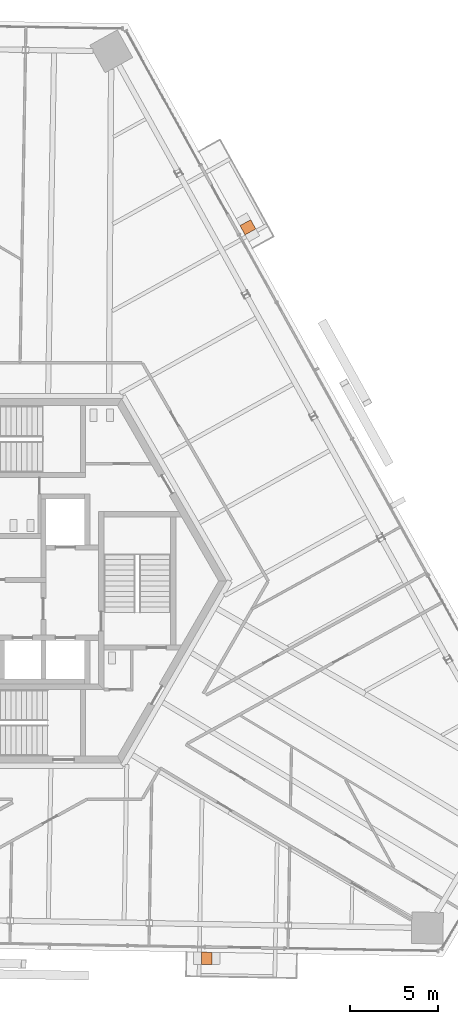
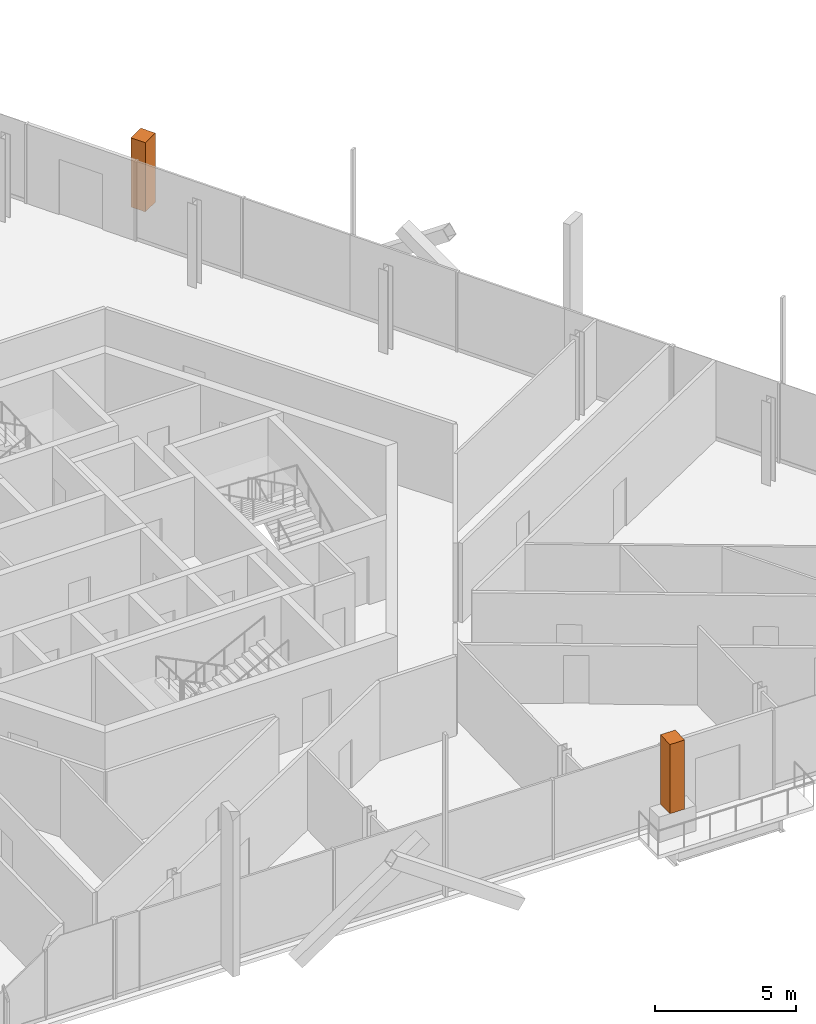
# One storey, part 20 of 20: 2 geographic elements.
"""IFC4 building model written with IfcOpenShell, lengths in metres."""

from ifc_helpers import new_model, si_unit, direction, frame, origin, origin_2d, place, context, subcontext, project, spatial, rectangle, extrude, source, transform, mapped, material, type_object, element, save


model = new_model("IFC4")

# Units and contexts
model_context = context("Model", 3, precision=1e-05, world=origin(), true_north=direction((0.0, 1.0)))
body_context = subcontext(model_context, "Body", "Model", "MODEL_VIEW")
ifc_project = project(units=[si_unit("LENGTHUNIT", "METRE"), si_unit("AREAUNIT", "SQUARE_METRE"), si_unit("VOLUMEUNIT", "CUBIC_METRE"), si_unit("PLANEANGLEUNIT", "RADIAN"), si_unit("MASSUNIT", "GRAM", prefix="KILO")], contexts=[model_context])

# Site, building, storey
site_placement = place(None, origin())
site = spatial("IfcSite", under=ifc_project, at=site_placement, CompositionType="ELEMENT")
building_placement = place(site_placement, origin())
building = spatial("IfcBuilding", under=site, at=building_placement, Name="Triune Harvest Tower", CompositionType="ELEMENT")
storey_placement = place(building_placement, frame((0.0, 0.0, 194.300048828125)))
storey = spatial("IfcBuildingStorey", under=building, at=storey_placement, Name="L50", CompositionType="ELEMENT", Elevation=194.300048828125)

# Geographic elements
ifc_material = material(Name="TREE-1 tree")
geographic_element_type = type_object("IfcGeographicElementType", Name="TREE-1 tree", PredefinedType="USERDEFINED", material=ifc_material)
shared_shape = source(origin(), body_context, "Body", "SweptSolid", [
    extrude(rectangle(XDim=0.60009765625, YDim=0.699951171875, at=origin_2d()), origin(), (0.0, 0.0, 1.0), 3.0),
])
for number, where, z_axis, x_axis, name in (
    (1, (13.207763671875, 20.1630859375, 1.099853515625), (0.0, 0.0, 1.0), (-0.48480848305, 0.874620337497, 0.0), "Tree B5-F1 L50.9a"),
    (2, (10.85791015625, -21.52001953125, 1.099853515625), (0.0, 0.0, 1.0), (0.999847708228, -0.017451657526, 0.0), "Tree B5-F5 L50.9a"),
):
    element("IfcGeographicElement", number, at=place(storey_placement, frame(where, z_axis=z_axis, x_axis=x_axis)), inside=storey, type_object=geographic_element_type, Name=name, ObjectType="TREE", PredefinedType="USERDEFINED", context=body_context, shape_type="MappedRepresentation", body=[
        mapped(shared_shape, transform((0.0, 0.0, 0.0), scale=1.0)),
    ])

save(model, "model.ifc")
